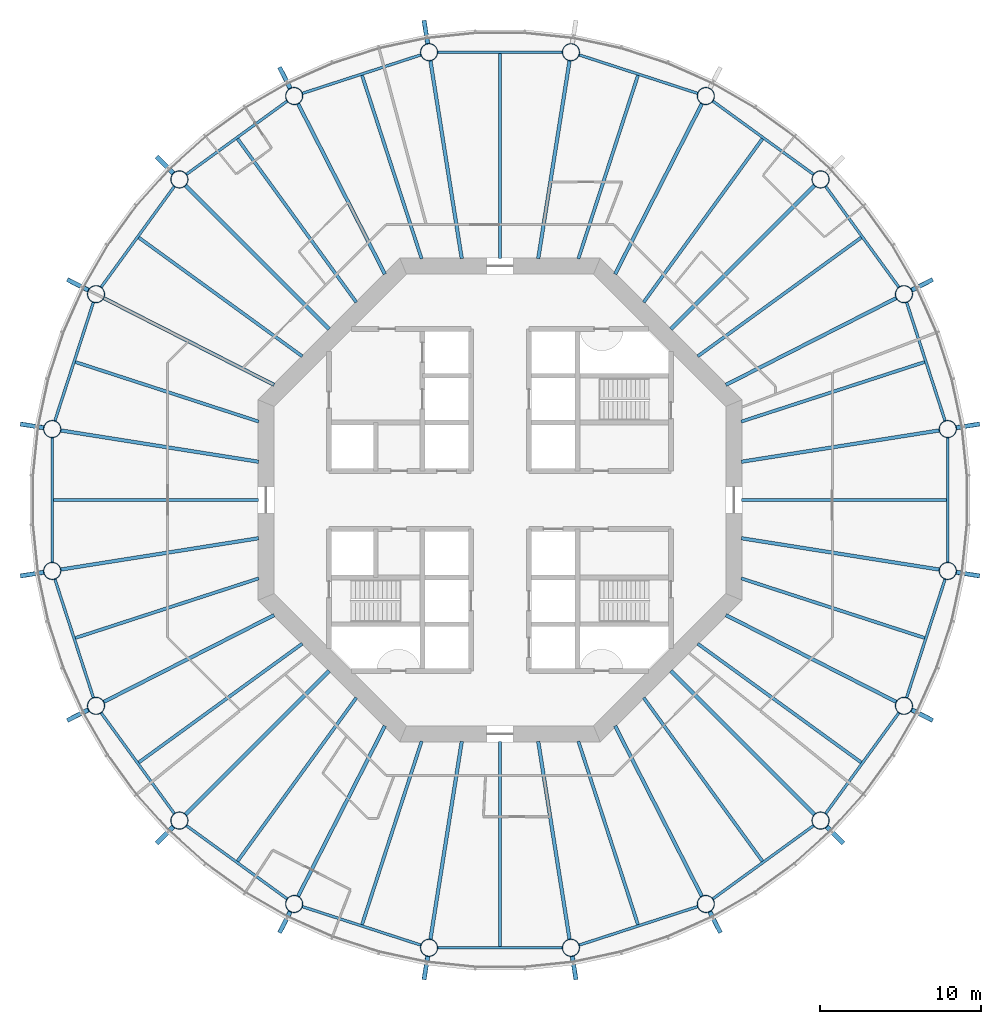
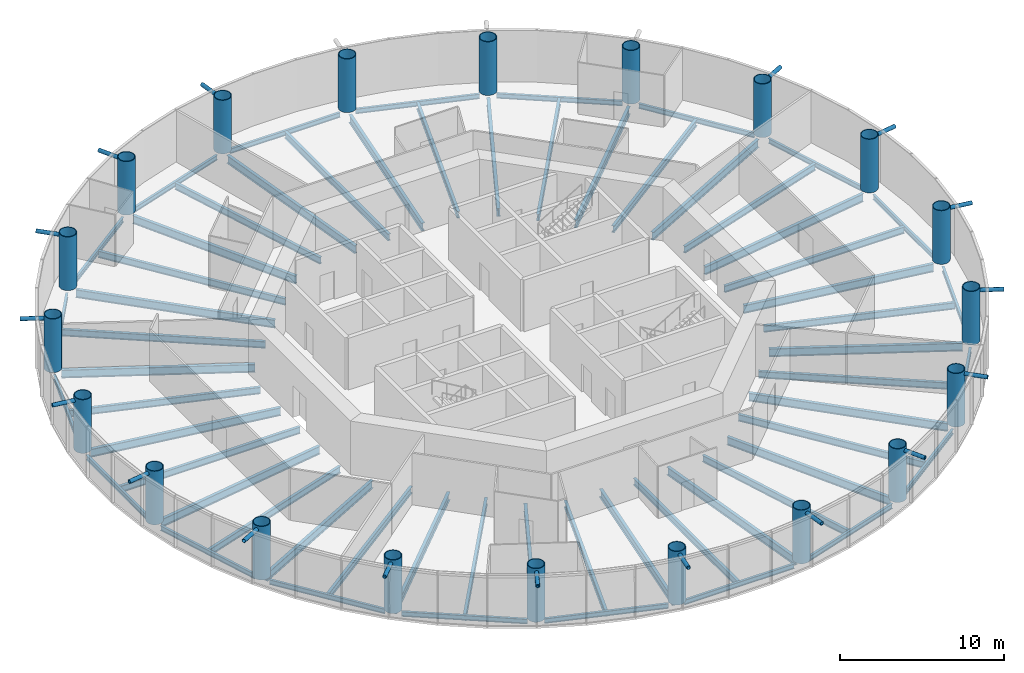
# One storey, part 1 of 12: 60 beams, 20 columns, 17 members.
"""IFC4 building model written with IfcOpenShell, lengths in metres."""

from ifc_helpers import new_model, si_unit, direction, frame, origin, origin_2d, place, context, subcontext, project, spatial, circle, hollow_circle, i_section, extrude, material, material_profile, profile_set, type_object, element, save


model = new_model("IFC4")

# Units and contexts
model_context = context("Model", 3, precision=1e-05, world=origin(), true_north=direction((0.0, 1.0)))
body_context = subcontext(model_context, "Body", "Model", "MODEL_VIEW")
ifc_project = project(units=[si_unit("LENGTHUNIT", "METRE"), si_unit("AREAUNIT", "SQUARE_METRE"), si_unit("VOLUMEUNIT", "CUBIC_METRE"), si_unit("PLANEANGLEUNIT", "RADIAN"), si_unit("MASSUNIT", "GRAM", prefix="KILO")], contexts=[model_context])

# Site, building, storey
site_placement = place(None, origin())
site = spatial("IfcSite", under=ifc_project, at=site_placement, CompositionType="ELEMENT")
building_placement = place(site_placement, origin())
building = spatial("IfcBuilding", under=site, at=building_placement, Name="Entoto Ring Tower", CompositionType="ELEMENT")
storey_placement = place(building_placement, frame((0.0, 0.0, 196.0)))
storey = spatial("IfcBuildingStorey", under=building, at=storey_placement, Name="L45", CompositionType="ELEMENT", Elevation=196.0)

# Columns
ifc_material_1 = material(Name="Steel S355", Category="steel")
ifc_material_profile_1 = material_profile(ifc_material_1, hollow_circle(Radius=0.550048828125, WallThickness=0.050048828125, at=origin_2d()), Name="CHS 1100 x 50")
ifc_material_2 = material(Name="Concrete C60/75", Category="concrete")
ifc_material_profile_2 = material_profile(ifc_material_2, circle(Radius=0.5, at=origin_2d()), Name="Concrete C60/75 infill")
ifc_profile_set_1 = profile_set([ifc_material_profile_1, ifc_material_profile_2], Name="Steel S355")
column_type = type_object("IfcColumnType", Name="Ring column 1100 x 50 concrete-filled tube", PredefinedType="COLUMN", material=ifc_profile_set_1)
for number, where, z_axis, x_axis, name in (
    (1, (117.754150390625, 84.395751953125, 0.0), (0.0, 0.0, 1.0), (1.0, 0.0, 0.0), "RC3 R01"),
    (2, (115.037353515625, 92.757080078125, 0.0), (0.0, 0.0, 1.0), (1.0, 0.0, 0.0), "RC3 R02"),
    (3, (109.86962890625, 99.86962890625, 0.0), (0.0, 0.0, 1.0), (1.0, 0.0, 0.0), "RC3 R03"),
    (4, (102.757080078125, 105.037353515625, 0.0), (0.0, 0.0, 1.0), (1.0, 0.0, 0.0), "RC3 R04"),
    (5, (94.395751953125, 107.754150390625, 0.0), (0.0, 0.0, 1.0), (1.0, 0.0, 0.0), "RC3 R05"),
    (6, (85.604248046875, 107.754150390625, 0.0), (0.0, 0.0, 1.0), (1.0, 0.0, 0.0), "RC3 R06"),
    (7, (77.242919921875, 105.037353515625, 0.0), (0.0, 0.0, 1.0), (1.0, 0.0, 0.0), "RC3 R07"),
    (8, (70.13037109375, 99.86962890625, 0.0), (0.0, 0.0, 1.0), (1.0, 0.0, 0.0), "RC3 R08"),
    (9, (64.962646484375, 92.757080078125, 0.0), (0.0, 0.0, 1.0), (1.0, 0.0, 0.0), "RC3 R09"),
    (10, (62.245849609375, 84.395751953125, 0.0), (0.0, 0.0, 1.0), (1.0, 0.0, 0.0), "RC3 R10"),
    (11, (62.245849609375, 75.604248046875, 0.0), (0.0, 0.0, 1.0), (1.0, 0.0, 0.0), "RC3 R11"),
    (12, (64.962646484375, 67.242919921875, 0.0), (0.0, 0.0, 1.0), (1.0, 0.0, 0.0), "RC3 R12"),
    (13, (70.13037109375, 60.13037109375, 0.0), (0.0, 0.0, 1.0), (1.0, 0.0, 0.0), "RC3 R13"),
    (14, (77.242919921875, 54.962646484375, 0.0), (0.0, 0.0, 1.0), (1.0, 0.0, 0.0), "RC3 R14"),
    (15, (85.604248046875, 52.245849609375, 0.0), (0.0, 0.0, 1.0), (1.0, 0.0, 0.0), "RC3 R15"),
    (16, (94.395751953125, 52.245849609375, 0.0), (0.0, 0.0, 1.0), (1.0, 0.0, 0.0), "RC3 R16"),
    (17, (102.757080078125, 54.962646484375, 0.0), (0.0, 0.0, 1.0), (1.0, 0.0, 0.0), "RC3 R17"),
    (18, (109.86962890625, 60.13037109375, 0.0), (0.0, 0.0, 1.0), (1.0, 0.0, 0.0), "RC3 R18"),
    (19, (115.037353515625, 67.242919921875, 0.0), (0.0, 0.0, 1.0), (1.0, 0.0, 0.0), "RC3 R19"),
    (20, (117.754150390625, 75.604248046875, 0.0), (0.0, 0.0, 1.0), (1.0, 0.0, 0.0), "RC3 R20"),
):
    element("IfcColumn", number, at=place(storey_placement, frame(where, z_axis=z_axis, x_axis=x_axis)), inside=storey, type_object=column_type, Name=name, PredefinedType="COLUMN", context=body_context, shape_type="SweptSolid", body=[
        extrude(hollow_circle(Radius=0.550048828125, WallThickness=0.050048828125, at=origin_2d()), origin(), (0.0, 0.0, 1.0), 4.0),
    ])

# Members
ifc_material_3 = material(Name="Steel S355", Category="steel")
ifc_material_profile_3 = material_profile(ifc_material_3, hollow_circle(Radius=0.136474609375, WallThickness=0.012451171875, at=origin_2d()), Name="CHS 273 x 12.5")
ifc_material_4 = material(Name="Concrete C60/75", Category="concrete")
ifc_material_profile_4 = material_profile(ifc_material_4, circle(Radius=0.1240234375, at=origin_2d()), Name="Concrete C60/75 infill")
ifc_profile_set_2 = profile_set([ifc_material_profile_3, ifc_material_profile_4], Name="Steel S355")
member_type = type_object("IfcMemberType", Name="Diagrid node strut 273 x 12.5", PredefinedType="STRUT", material=ifc_profile_set_2)
for number, where, z_axis, x_axis, name in (
    (21, (115.494140625, 92.989990234375, 3.71337890625), (0.891053276869, 0.453898730756, 0.0), (-0.453898730756, 0.891053276869, 0.0), "DS2 strut ring 13 01"),
    (22, (85.52392578125, 108.260498046875, 3.71337890625), (-0.15643459676, 0.987688319733, 0.0), (-0.987688319733, -0.15643459676, 0.0), "DS2 strut ring 13 05"),
    (23, (77.010009765625, 105.494140625, 3.71337890625), (-0.453898730756, 0.891053276869, 0.0), (-0.891053276869, -0.453898730756, 0.0), "DS2 strut ring 13 06"),
    (24, (69.767822265625, 100.232177734375, 3.71337890625), (-0.707106781187, 0.707106781187, 0.0), (-0.707106781187, -0.707106781187, 0.0), "DS2 strut ring 13 07"),
    (25, (64.505859375, 92.989990234375, 3.71337890625), (-0.891053276869, 0.453898730756, 0.0), (-0.453898730756, -0.891053276869, 0.0), "DS2 strut ring 13 08"),
    (26, (61.739501953125, 84.47607421875, 3.71337890625), (-0.987688319733, 0.15643459676, 0.0), (-0.15643459676, -0.987688319733, 0.0), "DS2 strut ring 13 09"),
    (27, (61.739501953125, 75.52392578125, 3.71337890625), (-0.987688319733, -0.15643459676, 0.0), (0.15643459676, -0.987688319733, 0.0), "DS2 strut ring 13 10"),
    (28, (64.505859375, 67.010009765625, 3.71337890625), (-0.891053276869, -0.453898730756, 0.0), (0.453898730756, -0.891053276869, 0.0), "DS2 strut ring 13 11"),
    (29, (69.767822265625, 59.767822265625, 3.71337890625), (-0.707106781187, -0.707106781187, 0.0), (0.707106781187, -0.707106781187, 0.0), "DS2 strut ring 13 12"),
    (30, (77.010009765625, 54.505859375, 3.71337890625), (-0.453898730756, -0.891053276869, 0.0), (0.891053276869, -0.453898730756, 0.0), "DS2 strut ring 13 13"),
    (31, (85.52392578125, 51.739501953125, 3.71337890625), (-0.15643459676, -0.987688319733, 0.0), (0.987688319733, -0.15643459676, 0.0), "DS2 strut ring 13 14"),
    (32, (94.47607421875, 51.739501953125, 3.71337890625), (0.15643459676, -0.987688319733, 0.0), (0.987688319733, 0.15643459676, 0.0), "DS2 strut ring 13 15"),
    (33, (102.989990234375, 54.505859375, 3.71337890625), (0.453898730756, -0.891053276869, 0.0), (0.891053276869, 0.453898730756, 0.0), "DS2 strut ring 13 16"),
    (34, (110.232177734375, 59.767822265625, 3.71337890625), (0.707106781187, -0.707106781187, 0.0), (0.707106781187, 0.707106781187, 0.0), "DS2 strut ring 13 17"),
    (35, (115.494140625, 67.010009765625, 3.71337890625), (0.891053276869, -0.453898730756, 0.0), (0.453898730756, 0.891053276869, 0.0), "DS2 strut ring 13 18"),
    (36, (118.260498046875, 75.52392578125, 3.71337890625), (0.987688319733, -0.15643459676, 0.0), (0.15643459676, 0.987688319733, 0.0), "DS2 strut ring 13 19"),
    (37, (118.260498046875, 84.47607421875, 3.71337890625), (0.987688319733, 0.15643459676, 0.0), (-0.15643459676, 0.987688319733, 0.0), "DS2 strut ring 13 20"),
):
    element("IfcMember", number, at=place(storey_placement, frame(where, z_axis=z_axis, x_axis=x_axis)), inside=storey, type_object=member_type, Name=name, PredefinedType="STRUT", context=body_context, shape_type="SweptSolid", body=[
        extrude(hollow_circle(Radius=0.136474609375, WallThickness=0.012451171875, at=origin_2d()), origin(), (0.0, 0.0, 1.0), 1.4873046875),
    ])

# Beams
ifc_material_5 = material(Name="Steel S355", Category="steel")
ifc_material_profile_5 = material_profile(ifc_material_5, i_section(OverallWidth=0.169921875, OverallDepth=0.360107421875, WebThickness=0.008056640625, FlangeThickness=0.0126953125, FilletRadius=0.01806640625, at=origin_2d()), Name="IPE 360")
ifc_profile_set_3 = profile_set([ifc_material_profile_5], Name="Steel S355")
beam_type_1 = type_object("IfcBeamType", Name="Edge beam IPE 360", PredefinedType="SPANDREL", material=ifc_profile_set_3)
for number, where, z_axis, x_axis, name in (
    (38, (117.59228515625, 84.8935546875, -0.330078125), (-0.309012656105, 0.951057925874, 0.0), (-0.951057925874, -0.309012656105, 0.0), "Edge beam L45 01"),
    (39, (114.729736328125, 93.180419921875, -0.330078125), (-0.587791153253, 0.809012707043, 0.0), (-0.809012707043, -0.587791153253, 0.0), "Edge beam L45 02"),
    (40, (109.4462890625, 100.17724609375, -0.330078125), (-0.809012707043, 0.587791153253, 0.0), (-0.587791153253, -0.809012707043, 0.0), "Edge beam L45 03"),
    (41, (102.259521484375, 105.198974609375, -0.330078125), (-0.951057925874, 0.309012656105, 0.0), (-0.309012656105, -0.951057925874, 0.0), "Edge beam L45 04"),
    (42, (93.87255859375, 107.754150390625, -0.330078125), (-1.0, 0.0, 0.0), (0.0, -1.0, 0.0), "Edge beam L45 05"),
    (43, (85.1064453125, 107.59228515625, -0.330078125), (-0.951057925874, -0.309012656105, 0.0), (0.309012656105, -0.951057925874, 0.0), "Edge beam L45 06"),
    (44, (76.819580078125, 104.729736328125, -0.330078125), (-0.809012707043, -0.587791153253, 0.0), (0.587791153253, -0.809012707043, 0.0), "Edge beam L45 07"),
    (45, (69.82275390625, 99.4462890625, -0.330078125), (-0.587791153253, -0.809012707043, 0.0), (0.809012707043, -0.587791153253, 0.0), "Edge beam L45 08"),
    (46, (64.801025390625, 92.259521484375, -0.330078125), (-0.309012656105, -0.951057925874, 0.0), (0.951057925874, -0.309012656105, 0.0), "Edge beam L45 09"),
    (47, (62.245849609375, 83.87255859375, -0.330078125), (0.0, -1.0, 0.0), (1.0, 0.0, 0.0), "Edge beam L45 10"),
    (48, (62.40771484375, 75.1064453125, -0.330078125), (0.309012656105, -0.951057925874, 0.0), (0.951057925874, 0.309012656105, 0.0), "Edge beam L45 11"),
    (49, (65.270263671875, 66.819580078125, -0.330078125), (0.587791153253, -0.809012707043, 0.0), (0.809012707043, 0.587791153253, 0.0), "Edge beam L45 12"),
    (50, (70.5537109375, 59.82275390625, -0.330078125), (0.809012707043, -0.587791153253, 0.0), (0.587791153253, 0.809012707043, 0.0), "Edge beam L45 13"),
    (51, (77.740478515625, 54.801025390625, -0.330078125), (0.951057925874, -0.309012656105, 0.0), (0.309012656105, 0.951057925874, 0.0), "Edge beam L45 14"),
    (52, (86.12744140625, 52.245849609375, -0.330078125), (1.0, 0.0, 0.0), (0.0, 1.0, 0.0), "Edge beam L45 15"),
    (53, (94.8935546875, 52.40771484375, -0.330078125), (0.951057925874, 0.309012656105, 0.0), (-0.309012656105, 0.951057925874, 0.0), "Edge beam L45 16"),
    (54, (103.180419921875, 55.270263671875, -0.330078125), (0.809012707043, 0.587791153253, 0.0), (-0.587791153253, 0.809012707043, 0.0), "Edge beam L45 17"),
    (55, (110.17724609375, 60.5537109375, -0.330078125), (0.587791153253, 0.809012707043, 0.0), (-0.809012707043, 0.587791153253, 0.0), "Edge beam L45 18"),
    (56, (115.198974609375, 67.740478515625, -0.330078125), (0.309012656105, 0.951057925874, 0.0), (-0.951057925874, 0.309012656105, 0.0), "Edge beam L45 19"),
    (57, (117.754150390625, 76.12744140625, -0.330078125), (0.0, 1.0, 0.0), (-1.0, 0.0, 0.0), "Edge beam L45 20"),
):
    element("IfcBeam", number, at=place(storey_placement, frame(where, z_axis=z_axis, x_axis=x_axis)), inside=storey, type_object=beam_type_1, Name=name, PredefinedType="SPANDREL", context=body_context, shape_type="SweptSolid", body=[
        extrude(i_section(OverallWidth=0.169921875, OverallDepth=0.360107421875, WebThickness=0.008056640625, FlangeThickness=0.0126953125, FilletRadius=0.01806640625, at=origin_2d()), origin(), (0.0, 0.0, 1.0), 7.7451171875),
    ])
ifc_material_6 = material(Name="Steel S355", Category="steel")
ifc_material_profile_6 = material_profile(ifc_material_6, i_section(OverallWidth=0.219970703125, OverallDepth=0.60009765625, WebThickness=0.011962890625, FlangeThickness=0.01904296875, FilletRadius=0.02392578125, at=origin_2d()), Name="IPE 600")
ifc_profile_set_4 = profile_set([ifc_material_profile_6], Name="Steel S355")
beam_type_2 = type_object("IfcBeamType", Name="Primary floor beam IPE 600", PredefinedType="BEAM", material=ifc_profile_set_4)
beam_1_placement = place(storey_placement, frame((104.963134765625, 82.369873046875, -0.449951171875), z_axis=(0.987687213789, 0.156441579247, 0.0), x_axis=(-0.156441579247, 0.987687213789, 0.0)))
element("IfcBeam", 58, at=beam_1_placement, inside=storey, type_object=beam_type_2, Name="Primary L45 R01", PredefinedType="BEAM", context=body_context, shape_type="SweptSolid", body=[
    extrude(i_section(OverallWidth=0.219970703125, OverallDepth=0.60009765625, WebThickness=0.011962890625, FlangeThickness=0.01904296875, FilletRadius=0.02392578125, at=origin_2d()), origin(), (0.0, 0.0, 1.0), 12.431640625),
])
beam_2_placement = place(storey_placement, frame((104.003173828125, 87.135009765625, -0.449951171875), z_axis=(0.891010444609, 0.453982805399, 0.0), x_axis=(-0.453982805399, 0.891010444609, 0.0)))
element("IfcBeam", 59, at=beam_2_placement, inside=storey, type_object=beam_type_2, Name="Primary L45 R02", PredefinedType="BEAM", context=body_context, shape_type="SweptSolid", body=[
    extrude(i_section(OverallWidth=0.219970703125, OverallDepth=0.60009765625, WebThickness=0.011962890625, FlangeThickness=0.01904296875, FilletRadius=0.02392578125, at=origin_2d()), origin(), (0.0, 0.0, 1.0), 11.864990234375),
])
beam_3_placement = place(storey_placement, frame((100.592529296875, 90.592529296875, -0.449951171875), z_axis=(0.707106781187, 0.707106781187, 0.0), x_axis=(-0.707106781187, 0.707106781187, 0.0)))
element("IfcBeam", 60, at=beam_3_placement, inside=storey, type_object=beam_type_2, Name="Primary L45 R03", PredefinedType="BEAM", context=body_context, shape_type="SweptSolid", body=[
    extrude(i_section(OverallWidth=0.219970703125, OverallDepth=0.60009765625, WebThickness=0.011962890625, FlangeThickness=0.01904296875, FilletRadius=0.02392578125, at=origin_2d()), origin(), (0.0, 0.0, 1.0), 12.601318359375),
])
beam_4_placement = place(storey_placement, frame((97.135009765625, 94.003173828125, -0.449951171875), z_axis=(0.453982805399, 0.891010444609, 0.0), x_axis=(-0.891010444609, 0.453982805399, 0.0)))
element("IfcBeam", 61, at=beam_4_placement, inside=storey, type_object=beam_type_2, Name="Primary L45 R04", PredefinedType="BEAM", context=body_context, shape_type="SweptSolid", body=[
    extrude(i_section(OverallWidth=0.219970703125, OverallDepth=0.60009765625, WebThickness=0.011962890625, FlangeThickness=0.01904296875, FilletRadius=0.02392578125, at=origin_2d()), origin(), (0.0, 0.0, 1.0), 11.864990234375),
])
for number, where, z_axis, x_axis, name in (
    (62, (92.369873046875, 94.963134765625, -0.449951171875), (0.156441579247, 0.987687213789, 0.0), (-0.987687213789, 0.156441579247, 0.0), "Primary L45 R05"),
    (63, (87.630126953125, 94.963134765625, -0.449951171875), (-0.156441579247, 0.987687213789, 0.0), (-0.987687213789, -0.156441579247, 0.0), "Primary L45 R06"),
):
    element("IfcBeam", number, at=place(storey_placement, frame(where, z_axis=z_axis, x_axis=x_axis)), inside=storey, type_object=beam_type_2, Name=name, PredefinedType="BEAM", context=body_context, shape_type="SweptSolid", body=[
        extrude(i_section(OverallWidth=0.219970703125, OverallDepth=0.60009765625, WebThickness=0.011962890625, FlangeThickness=0.01904296875, FilletRadius=0.02392578125, at=origin_2d()), origin(), (0.0, 0.0, 1.0), 12.431640625),
    ])
beam_5_placement = place(storey_placement, frame((82.864990234375, 94.003173828125, -0.449951171875), z_axis=(-0.453982805399, 0.891010444609, 0.0), x_axis=(-0.891010444609, -0.453982805399, 0.0)))
element("IfcBeam", 64, at=beam_5_placement, inside=storey, type_object=beam_type_2, Name="Primary L45 R07", PredefinedType="BEAM", context=body_context, shape_type="SweptSolid", body=[
    extrude(i_section(OverallWidth=0.219970703125, OverallDepth=0.60009765625, WebThickness=0.011962890625, FlangeThickness=0.01904296875, FilletRadius=0.02392578125, at=origin_2d()), origin(), (0.0, 0.0, 1.0), 11.864990234375),
])
beam_6_placement = place(storey_placement, frame((79.407470703125, 90.592529296875, -0.449951171875), z_axis=(-0.707106781187, 0.707106781187, 0.0), x_axis=(-0.707106781187, -0.707106781187, 0.0)))
element("IfcBeam", 65, at=beam_6_placement, inside=storey, type_object=beam_type_2, Name="Primary L45 R08", PredefinedType="BEAM", context=body_context, shape_type="SweptSolid", body=[
    extrude(i_section(OverallWidth=0.219970703125, OverallDepth=0.60009765625, WebThickness=0.011962890625, FlangeThickness=0.01904296875, FilletRadius=0.02392578125, at=origin_2d()), origin(), (0.0, 0.0, 1.0), 12.601318359375),
])
beam_7_placement = place(storey_placement, frame((75.996826171875, 87.135009765625, -0.449951171875), z_axis=(-0.891010444609, 0.453982805399, 0.0), x_axis=(-0.453982805399, -0.891010444609, 0.0)))
element("IfcBeam", 66, at=beam_7_placement, inside=storey, type_object=beam_type_2, Name="Primary L45 R09", PredefinedType="BEAM", context=body_context, shape_type="SweptSolid", body=[
    extrude(i_section(OverallWidth=0.219970703125, OverallDepth=0.60009765625, WebThickness=0.011962890625, FlangeThickness=0.01904296875, FilletRadius=0.02392578125, at=origin_2d()), origin(), (0.0, 0.0, 1.0), 11.864990234375),
])
for number, where, z_axis, x_axis, name in (
    (67, (75.036865234375, 82.369873046875, -0.449951171875), (-0.987687213789, 0.156441579247, 0.0), (-0.156441579247, -0.987687213789, 0.0), "Primary L45 R10"),
    (68, (75.036865234375, 77.630126953125, -0.449951171875), (-0.987687213789, -0.156441579247, 0.0), (0.156441579247, -0.987687213789, 0.0), "Primary L45 R11"),
):
    element("IfcBeam", number, at=place(storey_placement, frame(where, z_axis=z_axis, x_axis=x_axis)), inside=storey, type_object=beam_type_2, Name=name, PredefinedType="BEAM", context=body_context, shape_type="SweptSolid", body=[
        extrude(i_section(OverallWidth=0.219970703125, OverallDepth=0.60009765625, WebThickness=0.011962890625, FlangeThickness=0.01904296875, FilletRadius=0.02392578125, at=origin_2d()), origin(), (0.0, 0.0, 1.0), 12.431640625),
    ])
beam_8_placement = place(storey_placement, frame((75.996826171875, 72.864990234375, -0.449951171875), z_axis=(-0.891010444609, -0.453982805399, 0.0), x_axis=(0.453982805399, -0.891010444609, 0.0)))
element("IfcBeam", 69, at=beam_8_placement, inside=storey, type_object=beam_type_2, Name="Primary L45 R12", PredefinedType="BEAM", context=body_context, shape_type="SweptSolid", body=[
    extrude(i_section(OverallWidth=0.219970703125, OverallDepth=0.60009765625, WebThickness=0.011962890625, FlangeThickness=0.01904296875, FilletRadius=0.02392578125, at=origin_2d()), origin(), (0.0, 0.0, 1.0), 11.864990234375),
])
beam_9_placement = place(storey_placement, frame((79.407470703125, 69.407470703125, -0.449951171875), z_axis=(-0.707106781187, -0.707106781187, 0.0), x_axis=(0.707106781187, -0.707106781187, 0.0)))
element("IfcBeam", 70, at=beam_9_placement, inside=storey, type_object=beam_type_2, Name="Primary L45 R13", PredefinedType="BEAM", context=body_context, shape_type="SweptSolid", body=[
    extrude(i_section(OverallWidth=0.219970703125, OverallDepth=0.60009765625, WebThickness=0.011962890625, FlangeThickness=0.01904296875, FilletRadius=0.02392578125, at=origin_2d()), origin(), (0.0, 0.0, 1.0), 12.601318359375),
])
beam_10_placement = place(storey_placement, frame((82.864990234375, 65.996826171875, -0.449951171875), z_axis=(-0.453982805399, -0.891010444609, 0.0), x_axis=(0.891010444609, -0.453982805399, 0.0)))
element("IfcBeam", 71, at=beam_10_placement, inside=storey, type_object=beam_type_2, Name="Primary L45 R14", PredefinedType="BEAM", context=body_context, shape_type="SweptSolid", body=[
    extrude(i_section(OverallWidth=0.219970703125, OverallDepth=0.60009765625, WebThickness=0.011962890625, FlangeThickness=0.01904296875, FilletRadius=0.02392578125, at=origin_2d()), origin(), (0.0, 0.0, 1.0), 11.864990234375),
])
for number, where, z_axis, x_axis, name in (
    (72, (87.630126953125, 65.036865234375, -0.449951171875), (-0.156441579247, -0.987687213789, 0.0), (0.987687213789, -0.156441579247, 0.0), "Primary L45 R15"),
    (73, (92.369873046875, 65.036865234375, -0.449951171875), (0.156441579247, -0.987687213789, 0.0), (0.987687213789, 0.156441579247, 0.0), "Primary L45 R16"),
):
    element("IfcBeam", number, at=place(storey_placement, frame(where, z_axis=z_axis, x_axis=x_axis)), inside=storey, type_object=beam_type_2, Name=name, PredefinedType="BEAM", context=body_context, shape_type="SweptSolid", body=[
        extrude(i_section(OverallWidth=0.219970703125, OverallDepth=0.60009765625, WebThickness=0.011962890625, FlangeThickness=0.01904296875, FilletRadius=0.02392578125, at=origin_2d()), origin(), (0.0, 0.0, 1.0), 12.431640625),
    ])
beam_11_placement = place(storey_placement, frame((97.135009765625, 65.996826171875, -0.449951171875), z_axis=(0.453982805399, -0.891010444609, 0.0), x_axis=(0.891010444609, 0.453982805399, 0.0)))
element("IfcBeam", 74, at=beam_11_placement, inside=storey, type_object=beam_type_2, Name="Primary L45 R17", PredefinedType="BEAM", context=body_context, shape_type="SweptSolid", body=[
    extrude(i_section(OverallWidth=0.219970703125, OverallDepth=0.60009765625, WebThickness=0.011962890625, FlangeThickness=0.01904296875, FilletRadius=0.02392578125, at=origin_2d()), origin(), (0.0, 0.0, 1.0), 11.864990234375),
])
beam_12_placement = place(storey_placement, frame((100.592529296875, 69.407470703125, -0.449951171875), z_axis=(0.707106781187, -0.707106781187, 0.0), x_axis=(0.707106781187, 0.707106781187, 0.0)))
element("IfcBeam", 75, at=beam_12_placement, inside=storey, type_object=beam_type_2, Name="Primary L45 R18", PredefinedType="BEAM", context=body_context, shape_type="SweptSolid", body=[
    extrude(i_section(OverallWidth=0.219970703125, OverallDepth=0.60009765625, WebThickness=0.011962890625, FlangeThickness=0.01904296875, FilletRadius=0.02392578125, at=origin_2d()), origin(), (0.0, 0.0, 1.0), 12.601318359375),
])
beam_13_placement = place(storey_placement, frame((104.003173828125, 72.864990234375, -0.449951171875), z_axis=(0.891010444609, -0.453982805399, 0.0), x_axis=(0.453982805399, 0.891010444609, 0.0)))
element("IfcBeam", 76, at=beam_13_placement, inside=storey, type_object=beam_type_2, Name="Primary L45 R19", PredefinedType="BEAM", context=body_context, shape_type="SweptSolid", body=[
    extrude(i_section(OverallWidth=0.219970703125, OverallDepth=0.60009765625, WebThickness=0.011962890625, FlangeThickness=0.01904296875, FilletRadius=0.02392578125, at=origin_2d()), origin(), (0.0, 0.0, 1.0), 11.864990234375),
])
beam_14_placement = place(storey_placement, frame((104.963134765625, 77.630126953125, -0.449951171875), z_axis=(0.987687213789, -0.156441579247, 0.0), x_axis=(0.156441579247, 0.987687213789, 0.0)))
element("IfcBeam", 77, at=beam_14_placement, inside=storey, type_object=beam_type_2, Name="Primary L45 R20", PredefinedType="BEAM", context=body_context, shape_type="SweptSolid", body=[
    extrude(i_section(OverallWidth=0.219970703125, OverallDepth=0.60009765625, WebThickness=0.011962890625, FlangeThickness=0.01904296875, FilletRadius=0.02392578125, at=origin_2d()), origin(), (0.0, 0.0, 1.0), 12.431640625),
])
ifc_material_7 = material(Name="Steel S355", Category="steel")
ifc_material_profile_7 = material_profile(ifc_material_7, i_section(OverallWidth=0.199951171875, OverallDepth=0.5, WebThickness=0.01025390625, FlangeThickness=0.01611328125, FilletRadius=0.02099609375, at=origin_2d()), Name="IPE 500")
ifc_profile_set_5 = profile_set([ifc_material_profile_7], Name="Steel S355")
beam_type_3 = type_object("IfcBeamType", Name="Secondary floor beam IPE 500", PredefinedType="JOIST", material=ifc_profile_set_5)
beam_15_placement = place(storey_placement, frame((104.9501953125, 84.857666015625, -0.39990234375), z_axis=(0.951056587506, 0.30901677521, 0.0), x_axis=(-0.30901677521, 0.951056587506, 0.0)))
element("IfcBeam", 78, at=beam_15_placement, inside=storey, type_object=beam_type_3, Name="Secondary beam L45 01", PredefinedType="JOIST", context=body_context, shape_type="SweptSolid", body=[
    extrude(i_section(OverallWidth=0.199951171875, OverallDepth=0.5, WebThickness=0.01025390625, FlangeThickness=0.01611328125, FilletRadius=0.02099609375, at=origin_2d()), origin(), (0.0, 0.0, 1.0), 11.94970703125),
])
for number, where, z_axis, x_axis, name in (
    (79, (102.257568359375, 88.905517578125, -0.39990234375), (0.80901431041, 0.587788946436, 0.0), (-0.587788946436, 0.80901431041, 0.0), "Secondary beam L45 02"),
    (80, (98.905517578125, 92.257568359375, -0.39990234375), (0.587788946436, 0.80901431041, 0.0), (-0.80901431041, 0.587788946436, 0.0), "Secondary beam L45 03"),
):
    element("IfcBeam", number, at=place(storey_placement, frame(where, z_axis=z_axis, x_axis=x_axis)), inside=storey, type_object=beam_type_3, Name=name, PredefinedType="JOIST", context=body_context, shape_type="SweptSolid", body=[
        extrude(i_section(OverallWidth=0.199951171875, OverallDepth=0.5, WebThickness=0.01025390625, FlangeThickness=0.01611328125, FilletRadius=0.02099609375, at=origin_2d()), origin(), (0.0, 0.0, 1.0), 12.51806640625),
    ])
beam_16_placement = place(storey_placement, frame((94.857666015625, 94.9501953125, -0.39990234375), z_axis=(0.30901677521, 0.951056587506, 0.0), x_axis=(-0.951056587506, 0.30901677521, 0.0)))
element("IfcBeam", 81, at=beam_16_placement, inside=storey, type_object=beam_type_3, Name="Secondary beam L45 04", PredefinedType="JOIST", context=body_context, shape_type="SweptSolid", body=[
    extrude(i_section(OverallWidth=0.199951171875, OverallDepth=0.5, WebThickness=0.01025390625, FlangeThickness=0.01611328125, FilletRadius=0.02099609375, at=origin_2d()), origin(), (0.0, 0.0, 1.0), 11.94970703125),
])
beam_17_placement = place(storey_placement, frame((90.0, 94.97998046875, -0.39990234375), z_axis=(0.0, 1.0, 0.0), x_axis=(-1.0, 0.0, 0.0)))
element("IfcBeam", 82, at=beam_17_placement, inside=storey, type_object=beam_type_3, Name="Secondary beam L45 05", PredefinedType="JOIST", context=body_context, shape_type="SweptSolid", body=[
    extrude(i_section(OverallWidth=0.199951171875, OverallDepth=0.5, WebThickness=0.01025390625, FlangeThickness=0.01611328125, FilletRadius=0.02099609375, at=origin_2d()), origin(), (0.0, 0.0, 1.0), 12.68896484375),
])
beam_18_placement = place(storey_placement, frame((85.142333984375, 94.9501953125, -0.39990234375), z_axis=(-0.30901677521, 0.951056587506, 0.0), x_axis=(-0.951056587506, -0.30901677521, 0.0)))
element("IfcBeam", 83, at=beam_18_placement, inside=storey, type_object=beam_type_3, Name="Secondary beam L45 06", PredefinedType="JOIST", context=body_context, shape_type="SweptSolid", body=[
    extrude(i_section(OverallWidth=0.199951171875, OverallDepth=0.5, WebThickness=0.01025390625, FlangeThickness=0.01611328125, FilletRadius=0.02099609375, at=origin_2d()), origin(), (0.0, 0.0, 1.0), 11.94970703125),
])
for number, where, z_axis, x_axis, name in (
    (84, (81.094482421875, 92.257568359375, -0.39990234375), (-0.587788946436, 0.80901431041, 0.0), (-0.80901431041, -0.587788946436, 0.0), "Secondary beam L45 07"),
    (85, (77.742431640625, 88.905517578125, -0.39990234375), (-0.80901431041, 0.587788946436, 0.0), (-0.587788946436, -0.80901431041, 0.0), "Secondary beam L45 08"),
):
    element("IfcBeam", number, at=place(storey_placement, frame(where, z_axis=z_axis, x_axis=x_axis)), inside=storey, type_object=beam_type_3, Name=name, PredefinedType="JOIST", context=body_context, shape_type="SweptSolid", body=[
        extrude(i_section(OverallWidth=0.199951171875, OverallDepth=0.5, WebThickness=0.01025390625, FlangeThickness=0.01611328125, FilletRadius=0.02099609375, at=origin_2d()), origin(), (0.0, 0.0, 1.0), 12.51806640625),
    ])
beam_19_placement = place(storey_placement, frame((75.0498046875, 84.857666015625, -0.39990234375), z_axis=(-0.951056587506, 0.30901677521, 0.0), x_axis=(-0.30901677521, -0.951056587506, 0.0)))
element("IfcBeam", 86, at=beam_19_placement, inside=storey, type_object=beam_type_3, Name="Secondary beam L45 09", PredefinedType="JOIST", context=body_context, shape_type="SweptSolid", body=[
    extrude(i_section(OverallWidth=0.199951171875, OverallDepth=0.5, WebThickness=0.01025390625, FlangeThickness=0.01611328125, FilletRadius=0.02099609375, at=origin_2d()), origin(), (0.0, 0.0, 1.0), 11.94970703125),
])
beam_20_placement = place(storey_placement, frame((75.02001953125, 80.0, -0.39990234375), z_axis=(-1.0, 0.0, 0.0), x_axis=(0.0, -1.0, 0.0)))
element("IfcBeam", 87, at=beam_20_placement, inside=storey, type_object=beam_type_3, Name="Secondary beam L45 10", PredefinedType="JOIST", context=body_context, shape_type="SweptSolid", body=[
    extrude(i_section(OverallWidth=0.199951171875, OverallDepth=0.5, WebThickness=0.01025390625, FlangeThickness=0.01611328125, FilletRadius=0.02099609375, at=origin_2d()), origin(), (0.0, 0.0, 1.0), 12.68896484375),
])
beam_21_placement = place(storey_placement, frame((75.0498046875, 75.142333984375, -0.39990234375), z_axis=(-0.951056587506, -0.30901677521, 0.0), x_axis=(0.30901677521, -0.951056587506, 0.0)))
element("IfcBeam", 88, at=beam_21_placement, inside=storey, type_object=beam_type_3, Name="Secondary beam L45 11", PredefinedType="JOIST", context=body_context, shape_type="SweptSolid", body=[
    extrude(i_section(OverallWidth=0.199951171875, OverallDepth=0.5, WebThickness=0.01025390625, FlangeThickness=0.01611328125, FilletRadius=0.02099609375, at=origin_2d()), origin(), (0.0, 0.0, 1.0), 11.94970703125),
])
for number, where, z_axis, x_axis, name in (
    (89, (77.742431640625, 71.094482421875, -0.39990234375), (-0.80901431041, -0.587788946436, 0.0), (0.587788946436, -0.80901431041, 0.0), "Secondary beam L45 12"),
    (90, (81.094482421875, 67.742431640625, -0.39990234375), (-0.587788946436, -0.80901431041, 0.0), (0.80901431041, -0.587788946436, 0.0), "Secondary beam L45 13"),
):
    element("IfcBeam", number, at=place(storey_placement, frame(where, z_axis=z_axis, x_axis=x_axis)), inside=storey, type_object=beam_type_3, Name=name, PredefinedType="JOIST", context=body_context, shape_type="SweptSolid", body=[
        extrude(i_section(OverallWidth=0.199951171875, OverallDepth=0.5, WebThickness=0.01025390625, FlangeThickness=0.01611328125, FilletRadius=0.02099609375, at=origin_2d()), origin(), (0.0, 0.0, 1.0), 12.51806640625),
    ])
beam_22_placement = place(storey_placement, frame((85.142333984375, 65.0498046875, -0.39990234375), z_axis=(-0.30901677521, -0.951056587506, 0.0), x_axis=(0.951056587506, -0.30901677521, 0.0)))
element("IfcBeam", 91, at=beam_22_placement, inside=storey, type_object=beam_type_3, Name="Secondary beam L45 14", PredefinedType="JOIST", context=body_context, shape_type="SweptSolid", body=[
    extrude(i_section(OverallWidth=0.199951171875, OverallDepth=0.5, WebThickness=0.01025390625, FlangeThickness=0.01611328125, FilletRadius=0.02099609375, at=origin_2d()), origin(), (0.0, 0.0, 1.0), 11.94970703125),
])
beam_23_placement = place(storey_placement, frame((90.0, 65.02001953125, -0.39990234375), z_axis=(0.0, -1.0, 0.0), x_axis=(1.0, 0.0, 0.0)))
element("IfcBeam", 92, at=beam_23_placement, inside=storey, type_object=beam_type_3, Name="Secondary beam L45 15", PredefinedType="JOIST", context=body_context, shape_type="SweptSolid", body=[
    extrude(i_section(OverallWidth=0.199951171875, OverallDepth=0.5, WebThickness=0.01025390625, FlangeThickness=0.01611328125, FilletRadius=0.02099609375, at=origin_2d()), origin(), (0.0, 0.0, 1.0), 12.68896484375),
])
beam_24_placement = place(storey_placement, frame((94.857666015625, 65.0498046875, -0.39990234375), z_axis=(0.30901677521, -0.951056587506, 0.0), x_axis=(0.951056587506, 0.30901677521, 0.0)))
element("IfcBeam", 93, at=beam_24_placement, inside=storey, type_object=beam_type_3, Name="Secondary beam L45 16", PredefinedType="JOIST", context=body_context, shape_type="SweptSolid", body=[
    extrude(i_section(OverallWidth=0.199951171875, OverallDepth=0.5, WebThickness=0.01025390625, FlangeThickness=0.01611328125, FilletRadius=0.02099609375, at=origin_2d()), origin(), (0.0, 0.0, 1.0), 11.94970703125),
])
for number, where, z_axis, x_axis, name in (
    (94, (98.905517578125, 67.742431640625, -0.39990234375), (0.587788946436, -0.80901431041, 0.0), (0.80901431041, 0.587788946436, 0.0), "Secondary beam L45 17"),
    (95, (102.257568359375, 71.094482421875, -0.39990234375), (0.80901431041, -0.587788946436, 0.0), (0.587788946436, 0.80901431041, 0.0), "Secondary beam L45 18"),
):
    element("IfcBeam", number, at=place(storey_placement, frame(where, z_axis=z_axis, x_axis=x_axis)), inside=storey, type_object=beam_type_3, Name=name, PredefinedType="JOIST", context=body_context, shape_type="SweptSolid", body=[
        extrude(i_section(OverallWidth=0.199951171875, OverallDepth=0.5, WebThickness=0.01025390625, FlangeThickness=0.01611328125, FilletRadius=0.02099609375, at=origin_2d()), origin(), (0.0, 0.0, 1.0), 12.51806640625),
    ])
beam_25_placement = place(storey_placement, frame((104.9501953125, 75.142333984375, -0.39990234375), z_axis=(0.951056587506, -0.30901677521, 0.0), x_axis=(0.30901677521, 0.951056587506, 0.0)))
element("IfcBeam", 96, at=beam_25_placement, inside=storey, type_object=beam_type_3, Name="Secondary beam L45 19", PredefinedType="JOIST", context=body_context, shape_type="SweptSolid", body=[
    extrude(i_section(OverallWidth=0.199951171875, OverallDepth=0.5, WebThickness=0.01025390625, FlangeThickness=0.01611328125, FilletRadius=0.02099609375, at=origin_2d()), origin(), (0.0, 0.0, 1.0), 11.94970703125),
])
beam_26_placement = place(storey_placement, frame((104.97998046875, 80.0, -0.39990234375), z_axis=(1.0, 0.0, 0.0), x_axis=(0.0, 1.0, 0.0)))
element("IfcBeam", 97, at=beam_26_placement, inside=storey, type_object=beam_type_3, Name="Secondary beam L45 20", PredefinedType="JOIST", context=body_context, shape_type="SweptSolid", body=[
    extrude(i_section(OverallWidth=0.199951171875, OverallDepth=0.5, WebThickness=0.01025390625, FlangeThickness=0.01611328125, FilletRadius=0.02099609375, at=origin_2d()), origin(), (0.0, 0.0, 1.0), 12.68896484375),
])

save(model, "model.ifc")
